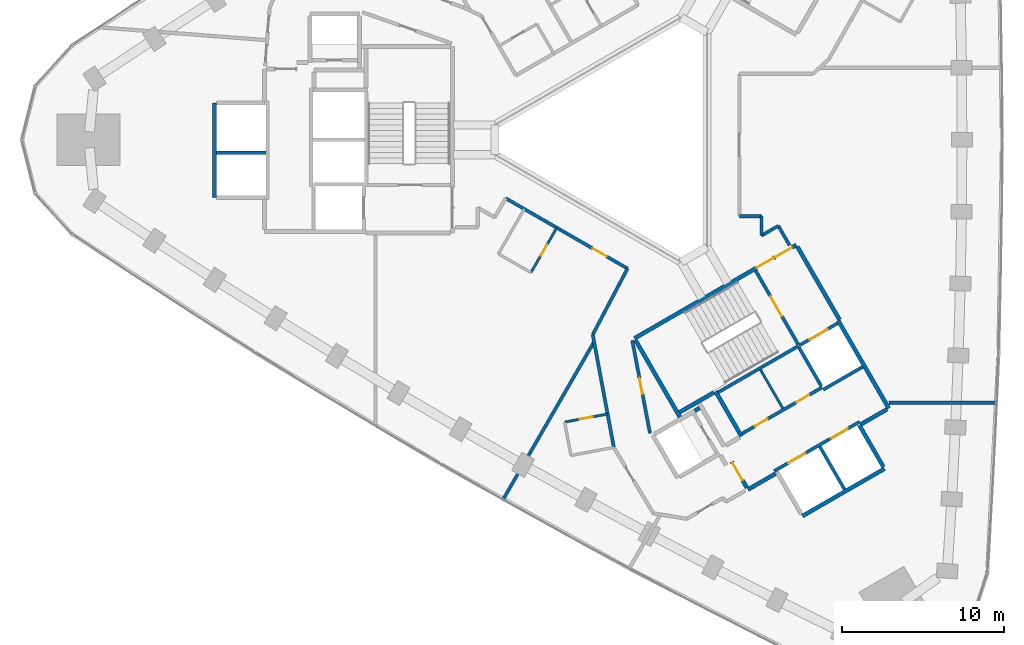
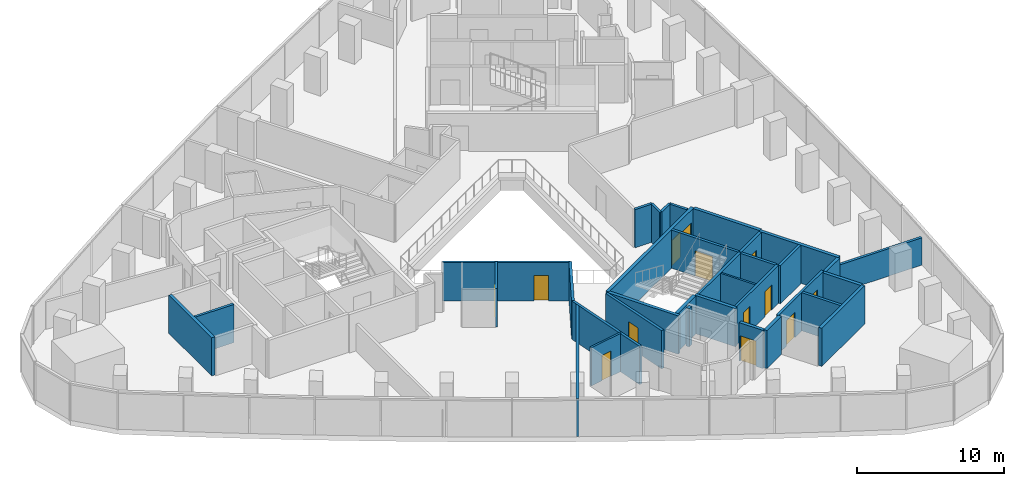
# One storey, part 8 of 12: 35 walls, 13 doors, 13 openings.
"""IFC4 building model written with IfcOpenShell, lengths in metres."""

from ifc_helpers import new_model, si_unit, direction, frame, frame_2d, origin, place, context, subcontext, project, spatial, rectangle, extrude, material, layer, layer_set, type_object, element, fill, save


model = new_model("IFC4")

# Units and contexts
model_context = context("Model", 3, precision=1e-05, world=origin(), true_north=direction((0.0, 1.0)))
body_context = subcontext(model_context, "Body", "Model", "MODEL_VIEW")
ifc_project = project(units=[si_unit("LENGTHUNIT", "METRE"), si_unit("AREAUNIT", "SQUARE_METRE"), si_unit("VOLUMEUNIT", "CUBIC_METRE"), si_unit("PLANEANGLEUNIT", "RADIAN"), si_unit("MASSUNIT", "GRAM", prefix="KILO")], contexts=[model_context])

# Site, building, storey
site_placement = place(None, origin())
site = spatial("IfcSite", under=ifc_project, at=site_placement, CompositionType="ELEMENT")
building_placement = place(site_placement, origin())
building = spatial("IfcBuilding", under=site, at=building_placement, Name="Tamra Quay Hotel Tower", CompositionType="ELEMENT")
storey_placement = place(building_placement, frame((0.0, 0.0, 104.60009765625)))
storey = spatial("IfcBuildingStorey", under=building, at=storey_placement, Name="L25", CompositionType="ELEMENT", Elevation=104.60009765625)

# Wall
ifc_material_1 = material(Name="Concrete M70", Category="concrete")
ifc_layer_1 = layer(ifc_material_1, 0.199951171875)
ifc_layer_set_1 = layer_set([ifc_layer_1], Name="Concrete M70 core wall 200")
wall_type_1 = type_object("IfcWallType", Name="Concrete M70 core wall 200", PredefinedType="SHEAR", material=ifc_layer_set_1)
wall_1_placement = place(storey_placement, frame((-22.36328125, -0.800048828125, 0.0), z_axis=(0.0, 0.0, 1.0), x_axis=(-1.0, 0.0, 0.0)))
element("IfcWall", 1, at=wall_1_placement, inside=storey, type_object=wall_type_1, Name="CW2", PredefinedType="SHEAR", context=body_context, shape_type="SweptSolid", body=[
    extrude(rectangle(XDim=3.048095703125, YDim=0.199951171875, at=frame_2d((1.52392578125, 0.0))), origin(), (0.0, 0.0, 1.0), 3.1748046875),
])

# Wall, openings, doors
wall_2_placement = place(storey_placement, frame((9.052490234375, -20.479736328125, 0.0), z_axis=(0.0, 0.0, 1.0), x_axis=(0.866030299012, 0.499991521122, 0.0)))
wall_2 = element("IfcWall", 2, at=wall_2_placement, inside=storey, type_object=wall_type_1, Name="CW2", PredefinedType="SHEAR", context=body_context, shape_type="SweptSolid", body=[
    extrude(rectangle(XDim=6.10009765625, YDim=0.199951171875, at=frame_2d((3.050048828125, 0.0))), origin(), (0.0, 0.0, 1.0), 3.1748046875),
])
opening_1_placement = place(wall_2_placement, frame((1.0, 0.0, 0.0)))
opening_1 = element("IfcOpeningElement", 3, at=opening_1_placement, cuts=wall_2, Name="Opening LD", PredefinedType="OPENING", context=body_context, shape_type="SweptSolid", body=[
    extrude(rectangle(XDim=1.199951171875, YDim=2.10009765625, at=frame_2d((0.60009765625, 1.050048828125))), frame((0.0, 0.10986328125, 0.0), z_axis=(0.0, -1.0, 0.0), x_axis=(1.0, 0.0, 0.0)), (0.0, 0.0, 1.0), 0.219970703125),
])
opening_2_placement = place(wall_2_placement, frame((4.05029296875, 0.0, 0.0)))
opening_2 = element("IfcOpeningElement", 4, at=opening_2_placement, cuts=wall_2, Name="Opening LD", PredefinedType="OPENING", context=body_context, shape_type="SweptSolid", body=[
    extrude(rectangle(XDim=1.199951171875, YDim=2.10009765625, at=frame_2d((0.60009765625, 1.050048828125))), frame((0.0, 0.10986328125, 0.0), z_axis=(0.0, -1.0, 0.0), x_axis=(1.0, 0.0, 0.0)), (0.0, 0.0, 1.0), 0.219970703125),
])
ifc_material_2 = material(Name="Landing door LD 1200 double door sliding")
door_type_1 = type_object("IfcDoorType", Name="Landing door LD 1200 double door sliding", OperationType="DOUBLE_DOOR_SLIDING", PredefinedType="DOOR", material=ifc_material_2)
door_1_placement = place(opening_1_placement, origin())
door_1 = element("IfcDoor", 5, at=door_1_placement, inside=storey, type_object=door_type_1, Name="LD", OperationType="DOUBLE_DOOR_SLIDING", OverallHeight=2.10009765625, OverallWidth=1.199951171875, PredefinedType="DOOR", context=body_context, shape_type="SweptSolid", body=[
    extrude(rectangle(XDim=1.199951171875, YDim=2.10009765625, at=frame_2d((0.60009765625, 1.050048828125))), frame((0.0, 0.02490234375, 0.0), z_axis=(0.0, -1.0, 0.0), x_axis=(1.0, 0.0, 0.0)), (0.0, 0.0, 1.0), 0.050048828125),
])
fill(opening_1, door_1)
door_2_placement = place(opening_2_placement, origin())
door_2 = element("IfcDoor", 6, at=door_2_placement, inside=storey, type_object=door_type_1, Name="LD", OperationType="DOUBLE_DOOR_SLIDING", OverallHeight=2.10009765625, OverallWidth=1.199951171875, PredefinedType="DOOR", context=body_context, shape_type="SweptSolid", body=[
    extrude(rectangle(XDim=1.199951171875, YDim=2.10009765625, at=frame_2d((0.60009765625, 1.050048828125))), frame((0.0, 0.02490234375, 0.0), z_axis=(0.0, -1.0, 0.0), x_axis=(1.0, 0.0, 0.0)), (0.0, 0.0, 1.0), 0.050048828125),
])
fill(opening_2, door_2)

# Wall
wall_3_placement = place(storey_placement, frame((10.537841796875, -12.751953125, 0.0), z_axis=(0.0, 0.0, 1.0), x_axis=(-0.866038630372, -0.499977090179, 0.0)))
element("IfcWall", 7, at=wall_3_placement, inside=storey, type_object=wall_type_1, Name="CW2", PredefinedType="SHEAR", context=body_context, shape_type="SweptSolid", body=[
    extrude(rectangle(XDim=5.698974609375, YDim=0.199951171875, at=frame_2d((2.849609375, 0.0))), origin(), (0.0, 0.0, 1.0), 3.1748046875),
])

# Wall, openings, doors
wall_4_placement = place(storey_placement, frame((7.0771484375, -18.156005859375, 0.0), z_axis=(0.0, 0.0, 1.0), x_axis=(0.866038630372, 0.499977090179, 0.0)))
wall_4 = element("IfcWall", 8, at=wall_4_placement, inside=storey, type_object=wall_type_1, Name="CW2", PredefinedType="SHEAR", context=body_context, shape_type="SweptSolid", body=[
    extrude(rectangle(XDim=5.698974609375, YDim=0.199951171875, at=frame_2d((2.849609375, 0.0))), origin(), (0.0, 0.0, 1.0), 3.1748046875),
])
opening_3_placement = place(wall_4_placement, frame((0.89892578125, 0.0, 0.0)))
opening_3 = element("IfcOpeningElement", 9, at=opening_3_placement, cuts=wall_4, Name="Opening D2", PredefinedType="OPENING", context=body_context, shape_type="SweptSolid", body=[
    extrude(rectangle(XDim=0.89990234375, YDim=2.10009765625, at=frame_2d((0.449951171875, 1.050048828125))), frame((0.0, 0.10986328125, 0.0), z_axis=(0.0, -1.0, 0.0), x_axis=(1.0, 0.0, 0.0)), (0.0, 0.0, 1.0), 0.219970703125),
])
opening_4_placement = place(wall_4_placement, frame((3.8740234375, 0.0, 0.0)))
opening_4 = element("IfcOpeningElement", 10, at=opening_4_placement, cuts=wall_4, Name="Opening D2", PredefinedType="OPENING", context=body_context, shape_type="SweptSolid", body=[
    extrude(rectangle(XDim=0.89990234375, YDim=2.10009765625, at=frame_2d((0.449951171875, 1.050048828125))), frame((0.0, 0.10986328125, 0.0), z_axis=(0.0, -1.0, 0.0), x_axis=(1.0, 0.0, 0.0)), (0.0, 0.0, 1.0), 0.219970703125),
])
ifc_material_3 = material(Name="Core door D2 900x2100 LH")
door_type_2 = type_object("IfcDoorType", Name="Core door D2 900x2100 LH", OperationType="NOTDEFINED", PredefinedType="DOOR", material=ifc_material_3)
door_3_placement = place(opening_4_placement, origin())
door_3 = element("IfcDoor", 11, at=door_3_placement, inside=storey, type_object=door_type_2, Name="D2", OperationType="SINGLE_SWING_LEFT", OverallHeight=2.10009765625, OverallWidth=0.89990234375, PredefinedType="DOOR", context=body_context, shape_type="SweptSolid", body=[
    extrude(rectangle(XDim=0.89990234375, YDim=2.10009765625, at=frame_2d((0.449951171875, 1.050048828125))), frame((0.0, 0.02490234375, 0.0), z_axis=(0.0, -1.0, 0.0), x_axis=(1.0, 0.0, 0.0)), (0.0, 0.0, 1.0), 0.050048828125),
])
fill(opening_4, door_3)
ifc_material_4 = material(Name="Core door D2 900x2100 RH")
door_type_3 = type_object("IfcDoorType", Name="Core door D2 900x2100 RH", OperationType="NOTDEFINED", PredefinedType="DOOR", material=ifc_material_4)
door_4_placement = place(opening_3_placement, origin())
door_4 = element("IfcDoor", 12, at=door_4_placement, inside=storey, type_object=door_type_3, Name="D2", OperationType="SINGLE_SWING_RIGHT", OverallHeight=2.10009765625, OverallWidth=0.89990234375, PredefinedType="DOOR", context=body_context, shape_type="SweptSolid", body=[
    extrude(rectangle(XDim=0.89990234375, YDim=2.10009765625, at=frame_2d((0.449951171875, 1.050048828125))), frame((0.0, 0.02490234375, 0.0), z_axis=(0.0, -1.0, 0.0), x_axis=(1.0, 0.0, 0.0)), (0.0, 0.0, 1.0), 0.050048828125),
])
fill(opening_3, door_4)

# Wall, opening, door
wall_5_placement = place(storey_placement, frame((7.906494140625, -8.094482421875, 0.0), z_axis=(0.0, 0.0, 1.0), x_axis=(0.500024287448, -0.866011380966, 0.0)))
wall_5 = element("IfcWall", 13, at=wall_5_placement, inside=storey, type_object=wall_type_1, Name="CW2", PredefinedType="SHEAR", context=body_context, shape_type="SweptSolid", body=[
    extrude(rectangle(XDim=5.251220703125, YDim=0.199951171875, at=frame_2d((2.62548828125, 0.0))), origin(), (0.0, 0.0, 1.0), 3.1748046875),
])
opening_5_placement = place(wall_5_placement, frame((1.84912109375, 0.0, 0.0)))
opening_5 = element("IfcOpeningElement", 14, at=opening_5_placement, cuts=wall_5, Name="Opening FD2", PredefinedType="OPENING", context=body_context, shape_type="SweptSolid", body=[
    extrude(rectangle(XDim=1.39990234375, YDim=2.10009765625, at=frame_2d((0.699951171875, 1.050048828125))), frame((0.0, 0.10986328125, 0.0), z_axis=(0.0, -1.0, 0.0), x_axis=(1.0, 0.0, 0.0)), (0.0, 0.0, 1.0), 0.219970703125),
])
ifc_material_5 = material(Name="Core door FD2 1400x2100 LH")
door_type_4 = type_object("IfcDoorType", Name="Core door FD2 1400x2100 LH", OperationType="NOTDEFINED", PredefinedType="DOOR", material=ifc_material_5)
door_5_placement = place(opening_5_placement, origin())
door_5 = element("IfcDoor", 15, at=door_5_placement, inside=storey, type_object=door_type_4, Name="FD2", OperationType="SINGLE_SWING_LEFT", OverallHeight=2.10009765625, OverallWidth=1.39990234375, PredefinedType="DOOR", context=body_context, shape_type="SweptSolid", body=[
    extrude(rectangle(XDim=1.39990234375, YDim=2.10009765625, at=frame_2d((0.699951171875, 1.050048828125))), frame((0.0, 0.02490234375, 0.0), z_axis=(0.0, -1.0, 0.0), x_axis=(1.0, 0.0, 0.0)), (0.0, 0.0, 1.0), 0.050048828125),
])
fill(opening_5, door_5)

# Walls
wall_6_placement = place(storey_placement, frame((11.87451171875, -18.967041015625, 0.0), z_axis=(0.0, 0.0, 1.0), x_axis=(0.49998131003, -0.866036194175, 0.0)))
element("IfcWall", 16, at=wall_6_placement, inside=storey, type_object=wall_type_1, Name="CW2", PredefinedType="SHEAR", context=body_context, shape_type="SweptSolid", body=[
    extrude(rectangle(XDim=3.0478515625, YDim=0.199951171875, at=frame_2d((1.52392578125, 0.0))), origin(), (0.0, 0.0, 1.0), 3.1748046875),
])
wall_7_placement = place(storey_placement, frame((11.962646484375, -15.219970703125, 0.0), z_axis=(0.0, 0.0, 1.0), x_axis=(-0.500034990121, 0.866005201286, 0.0)))
element("IfcWall", 17, at=wall_7_placement, inside=storey, type_object=wall_type_1, Name="CW2", PredefinedType="SHEAR", context=body_context, shape_type="SweptSolid", body=[
    extrude(rectangle(XDim=2.749755859375, YDim=0.199951171875, at=frame_2d((1.375, 0.0))), origin(), (0.0, 0.0, 1.0), 3.1748046875),
])

# Wall, opening, door
wall_8_placement = place(storey_placement, frame((10.587158203125, -12.72314453125, 0.0), z_axis=(0.0, 0.0, 1.0), x_axis=(0.866037306777, 0.499979382845, 0.0)))
wall_8 = element("IfcWall", 18, at=wall_8_placement, inside=storey, type_object=wall_type_1, Name="CW2", PredefinedType="SHEAR", context=body_context, shape_type="SweptSolid", body=[
    extrude(rectangle(XDim=2.74169921875, YDim=0.199951171875, at=frame_2d((1.370849609375, 0.0))), origin(), (0.0, 0.0, 1.0), 3.1748046875),
])
opening_6_placement = place(wall_8_placement, frame((0.742919921875, 0.0, 0.0)))
opening_6 = element("IfcOpeningElement", 19, at=opening_6_placement, cuts=wall_8, Name="Opening LD", PredefinedType="OPENING", context=body_context, shape_type="SweptSolid", body=[
    extrude(rectangle(XDim=1.300048828125, YDim=2.10009765625, at=frame_2d((0.64990234375, 1.050048828125))), frame((0.0, 0.10986328125, 0.0), z_axis=(0.0, -1.0, 0.0), x_axis=(1.0, 0.0, 0.0)), (0.0, 0.0, 1.0), 0.219970703125),
])
ifc_material_6 = material(Name="Landing door LD 1300 sliding to left")
door_type_5 = type_object("IfcDoorType", Name="Landing door LD 1300 sliding to left", OperationType="NOTDEFINED", PredefinedType="DOOR", material=ifc_material_6)
door_6_placement = place(opening_6_placement, origin())
door_6 = element("IfcDoor", 20, at=door_6_placement, inside=storey, type_object=door_type_5, Name="LD", OperationType="SLIDING_TO_LEFT", OverallHeight=2.10009765625, OverallWidth=1.300048828125, PredefinedType="DOOR", context=body_context, shape_type="SweptSolid", body=[
    extrude(rectangle(XDim=1.300048828125, YDim=2.10009765625, at=frame_2d((0.64990234375, 1.050048828125))), frame((0.0, 0.02490234375, 0.0), z_axis=(0.0, -1.0, 0.0), x_axis=(1.0, 0.0, 0.0)), (0.0, 0.0, 1.0), 0.050048828125),
])
fill(opening_6, door_6)

# Walls
wall_9_placement = place(storey_placement, frame((14.51171875, -14.037109375, 0.0), z_axis=(0.0, 0.0, 1.0), x_axis=(-0.866044696403, -0.499966582715, 0.0)))
element("IfcWall", 21, at=wall_9_placement, inside=storey, type_object=wall_type_1, Name="CW2", PredefinedType="SHEAR", context=body_context, shape_type="SweptSolid", body=[
    extrude(rectangle(XDim=2.799072265625, YDim=0.199951171875, at=frame_2d((1.3994140625, 0.0))), origin(), (0.0, 0.0, 1.0), 3.1748046875),
])
ifc_layer_2 = layer(ifc_material_1, 0.25)
ifc_layer_set_2 = layer_set([ifc_layer_2], Name="Concrete M70 core wall 250")
wall_type_2 = type_object("IfcWallType", Name="Concrete M70 core wall 250", PredefinedType="SHEAR", material=ifc_layer_set_2)
wall_10_placement = place(storey_placement, frame((-25.537353515625, -3.574951171875, 0.0), z_axis=(0.0, 0.0, 1.0), x_axis=(0.0, 1.0, 0.0)))
element("IfcWall", 22, at=wall_10_placement, inside=storey, type_object=wall_type_2, Name="CW1", PredefinedType="SHEAR", context=body_context, shape_type="SweptSolid", body=[
    extrude(rectangle(XDim=5.849853515625, YDim=0.25, at=frame_2d((2.9248046875, 0.0))), origin(), (0.0, 0.0, 1.0), 3.1748046875),
])

# Wall, openings, doors
wall_11_placement = place(storey_placement, frame((0.417236328125, -12.27294921875, 0.0), z_axis=(0.0, 0.0, 1.0), x_axis=(0.866021906294, 0.500006057782, 0.0)))
wall_11 = element("IfcWall", 23, at=wall_11_placement, inside=storey, type_object=wall_type_2, Name="CW1", PredefinedType="SHEAR", context=body_context, shape_type="SweptSolid", body=[
    extrude(rectangle(XDim=11.550048828125, YDim=0.25, at=frame_2d((5.77490234375, 0.0))), origin(), (0.0, 0.0, 1.0), 3.1748046875),
])
opening_7_placement = place(wall_11_placement, frame((10.024658203125, 0.0, 0.0)))
opening_7 = element("IfcOpeningElement", 24, at=opening_7_placement, cuts=wall_11, Name="Opening FD1", PredefinedType="OPENING", context=body_context, shape_type="SweptSolid", body=[
    extrude(rectangle(XDim=1.199951171875, YDim=2.10009765625, at=frame_2d((0.60009765625, 1.050048828125))), frame((0.0, 0.135009765625, 0.0), z_axis=(0.0, -1.0, 0.0), x_axis=(1.0, 0.0, 0.0)), (0.0, 0.0, 1.0), 0.27001953125),
])
opening_8_placement = place(wall_11_placement, frame((8.724609375, 0.0, 0.0)))
opening_8 = element("IfcOpeningElement", 25, at=opening_8_placement, cuts=wall_11, Name="Opening FD1", PredefinedType="OPENING", context=body_context, shape_type="SweptSolid", body=[
    extrude(rectangle(XDim=1.199951171875, YDim=2.10009765625, at=frame_2d((0.60009765625, 1.050048828125))), frame((0.0, 0.135009765625, 0.0), z_axis=(0.0, -1.0, 0.0), x_axis=(1.0, 0.0, 0.0)), (0.0, 0.0, 1.0), 0.27001953125),
])
ifc_material_7 = material(Name="Core door FD1 1200x2100 LH")
door_type_6 = type_object("IfcDoorType", Name="Core door FD1 1200x2100 LH", OperationType="NOTDEFINED", PredefinedType="DOOR", material=ifc_material_7)
door_7_placement = place(opening_7_placement, origin())
door_7 = element("IfcDoor", 26, at=door_7_placement, inside=storey, type_object=door_type_6, Name="FD1", OperationType="SINGLE_SWING_LEFT", OverallHeight=2.10009765625, OverallWidth=1.199951171875, PredefinedType="DOOR", context=body_context, shape_type="SweptSolid", body=[
    extrude(rectangle(XDim=1.199951171875, YDim=2.10009765625, at=frame_2d((0.60009765625, 1.050048828125))), frame((0.0, 0.02490234375, 0.0), z_axis=(0.0, -1.0, 0.0), x_axis=(1.0, 0.0, 0.0)), (0.0, 0.0, 1.0), 0.050048828125),
])
fill(opening_7, door_7)
ifc_material_8 = material(Name="Core door FD1 1200x2100 RH")
door_type_7 = type_object("IfcDoorType", Name="Core door FD1 1200x2100 RH", OperationType="NOTDEFINED", PredefinedType="DOOR", material=ifc_material_8)
door_8_placement = place(opening_8_placement, origin())
door_8 = element("IfcDoor", 27, at=door_8_placement, inside=storey, type_object=door_type_7, Name="FD1", OperationType="SINGLE_SWING_RIGHT", OverallHeight=2.10009765625, OverallWidth=1.199951171875, PredefinedType="DOOR", context=body_context, shape_type="SweptSolid", body=[
    extrude(rectangle(XDim=1.199951171875, YDim=2.10009765625, at=frame_2d((0.60009765625, 1.050048828125))), frame((0.0, 0.02490234375, 0.0), z_axis=(0.0, -1.0, 0.0), x_axis=(1.0, 0.0, 0.0)), (0.0, 0.0, 1.0), 0.050048828125),
])
fill(opening_8, door_8)

# Walls
wall_12_placement = place(storey_placement, frame((13.00830078125, -11.18115234375, 0.0), z_axis=(0.0, 0.0, 1.0), x_axis=(0.500004234368, -0.866022959057, 0.0)))
element("IfcWall", 28, at=wall_12_placement, inside=storey, type_object=wall_type_2, Name="CW1", PredefinedType="SHEAR", context=body_context, shape_type="SweptSolid", body=[
    extrude(rectangle(XDim=6.25, YDim=0.25, at=frame_2d((3.125, 0.0))), origin(), (0.0, 0.0, 1.0), 3.1748046875),
])
wall_13_placement = place(storey_placement, frame((15.86474609375, -20.328369140625, 0.0), z_axis=(0.0, 0.0, 1.0), x_axis=(-0.86602852612, -0.499994591916, 0.0)))
element("IfcWall", 29, at=wall_13_placement, inside=storey, type_object=wall_type_2, Name="CW1", PredefinedType="SHEAR", context=body_context, shape_type="SweptSolid", body=[
    extrude(rectangle(XDim=5.85009765625, YDim=0.25, at=frame_2d((2.925048828125, 0.0))), origin(), (0.0, 0.0, 1.0), 3.1748046875),
])
wall_14_placement = place(storey_placement, frame((3.23486328125, -17.15283203125, 0.0), z_axis=(0.0, 0.0, 1.0), x_axis=(-0.500008851346, 0.866020293397, 0.0)))
element("IfcWall", 30, at=wall_14_placement, inside=storey, type_object=wall_type_2, Name="CW1", PredefinedType="SHEAR", context=body_context, shape_type="SweptSolid", body=[
    extrude(rectangle(XDim=5.509765625, YDim=0.25, at=frame_2d((2.7548828125, 0.0))), origin(), (0.0, 0.0, 1.0), 3.1748046875),
])
wall_15_placement = place(storey_placement, frame((10.482666015625, -6.6064453125, 0.0), z_axis=(0.0, 0.0, 1.0), x_axis=(0.49999885962, -0.866026062182, 0.0)))
element("IfcWall", 31, at=wall_15_placement, inside=storey, type_object=wall_type_2, Name="CW1", PredefinedType="SHEAR", context=body_context, shape_type="SweptSolid", body=[
    extrude(rectangle(XDim=5.224609375, YDim=0.25, at=frame_2d((2.6123046875, 0.0))), origin(), (0.0, 0.0, 1.0), 3.1748046875),
])
wall_16_placement = place(storey_placement, frame((7.030517578125, -18.327392578125, 0.0), z_axis=(0.0, 0.0, 1.0), x_axis=(-0.499971222258, 0.866042017984, 0.0)))
element("IfcWall", 32, at=wall_16_placement, inside=storey, type_object=wall_type_2, Name="CW1", PredefinedType="SHEAR", context=body_context, shape_type="SweptSolid", body=[
    extrude(rectangle(XDim=3.199951171875, YDim=0.25, at=frame_2d((1.60009765625, 0.0))), origin(), (0.0, 0.0, 1.0), 3.1748046875),
])
wall_17_placement = place(storey_placement, frame((14.314697265625, -17.643798828125, 0.0), z_axis=(0.0, 0.0, 1.0), x_axis=(0.500023226632, -0.866011993467, 0.0)))
element("IfcWall", 33, at=wall_17_placement, inside=storey, type_object=wall_type_2, Name="CW1", PredefinedType="SHEAR", context=body_context, shape_type="SweptSolid", body=[
    extrude(rectangle(XDim=2.974365234375, YDim=0.25, at=frame_2d((1.4873046875, 0.0))), origin(), (0.0, 0.0, 1.0), 3.1748046875),
])
wall_18_placement = place(storey_placement, frame((5.322021484375, -15.618896484375, 0.0), z_axis=(0.0, 0.0, 1.0), x_axis=(-0.866026229868, -0.499998569178, 0.0)))
element("IfcWall", 34, at=wall_18_placement, inside=storey, type_object=wall_type_2, Name="CW1", PredefinedType="SHEAR", context=body_context, shape_type="SweptSolid", body=[
    extrude(rectangle(XDim=2.44921875, YDim=0.25, at=frame_2d((1.224609375, 0.0))), origin(), (0.0, 0.0, 1.0), 3.1748046875),
])
wall_19_placement = place(storey_placement, frame((9.139892578125, -20.63134765625, 0.0), z_axis=(0.0, 0.0, 1.0), x_axis=(-0.866043531843, -0.499968599967, 0.0)))
element("IfcWall", 35, at=wall_19_placement, inside=storey, type_object=wall_type_2, Name="CW1", PredefinedType="SHEAR", context=body_context, shape_type="SweptSolid", body=[
    extrude(rectangle(XDim=1.974853515625, YDim=0.25, at=frame_2d((0.9873046875, 0.0))), origin(), (0.0, 0.0, 1.0), 3.1748046875),
])
wall_20_placement = place(storey_placement, frame((16.024658203125, -16.656494140625, 0.0), z_axis=(0.0, 0.0, 1.0), x_axis=(-0.866016279763, -0.500015802937, 0.0)))
element("IfcWall", 36, at=wall_20_placement, inside=storey, type_object=wall_type_2, Name="CW1", PredefinedType="SHEAR", context=body_context, shape_type="SweptSolid", body=[
    extrude(rectangle(XDim=1.84912109375, YDim=0.25, at=frame_2d((0.924560546875, 0.0))), origin(), (0.0, 0.0, 1.0), 3.1748046875),
])

# Wall, opening, door
wall_21_placement = place(storey_placement, frame((7.3671875, -21.51025390625, 0.0), z_axis=(0.0, 0.0, 1.0), x_axis=(-0.499983108224, 0.866035156036, 0.0)))
wall_21 = element("IfcWall", 37, at=wall_21_placement, inside=storey, type_object=wall_type_2, Name="CW1", PredefinedType="SHEAR", context=body_context, shape_type="SweptSolid", body=[
    extrude(rectangle(XDim=1.86474609375, YDim=0.25, at=frame_2d((0.932373046875, 0.0))), origin(), (0.0, 0.0, 1.0), 3.1748046875),
])
opening_9_placement = place(wall_21_placement, frame((0.53466796875, 0.0, 0.0)))
opening_9 = element("IfcOpeningElement", 38, at=opening_9_placement, cuts=wall_21, Name="Opening FD3", PredefinedType="OPENING", context=body_context, shape_type="SweptSolid", body=[
    extrude(rectangle(XDim=1.25, YDim=2.10009765625, at=frame_2d((0.625, 1.050048828125))), frame((0.0, 0.135009765625, 0.0), z_axis=(0.0, -1.0, 0.0), x_axis=(1.0, 0.0, 0.0)), (0.0, 0.0, 1.0), 0.27001953125),
])
ifc_material_9 = material(Name="Core door FD3 1250x2100 LH")
door_type_8 = type_object("IfcDoorType", Name="Core door FD3 1250x2100 LH", OperationType="NOTDEFINED", PredefinedType="DOOR", material=ifc_material_9)
door_9_placement = place(opening_9_placement, origin())
door_9 = element("IfcDoor", 39, at=door_9_placement, inside=storey, type_object=door_type_8, Name="FD3", OperationType="SINGLE_SWING_LEFT", OverallHeight=2.10009765625, OverallWidth=1.25, PredefinedType="DOOR", context=body_context, shape_type="SweptSolid", body=[
    extrude(rectangle(XDim=1.25, YDim=2.10009765625, at=frame_2d((0.625, 1.050048828125))), frame((0.0, 0.02490234375, 0.0), z_axis=(0.0, -1.0, 0.0), x_axis=(1.0, 0.0, 0.0)), (0.0, 0.0, 1.0), 0.050048828125),
])
fill(opening_9, door_9)

# Walls
wall_22_placement = place(storey_placement, frame((4.144775390625, -16.748779296875, 0.0), z_axis=(0.0, 0.0, 1.0), x_axis=(0.866185586049, 0.49972245349, 0.0)))
element("IfcWall", 40, at=wall_22_placement, inside=storey, type_object=wall_type_2, Name="CW1", PredefinedType="SHEAR", context=body_context, shape_type="SweptSolid", body=[
    extrude(rectangle(XDim=0.344482421875, YDim=0.25, at=frame_2d((0.17236328125, 0.0))), origin(), (0.0, 0.0, 1.0), 3.1748046875),
])
ifc_material_10 = material(Name="Blockwork", Category="masonry")
ifc_layer_3 = layer(ifc_material_10, 0.14990234375)
ifc_layer_set_3 = layer_set([ifc_layer_3], Name="Core partition block 150")
wall_type_3 = type_object("IfcWallType", Name="Core partition block 150", PredefinedType="PARTITIONING", material=ifc_layer_set_3)
wall_23_placement = place(storey_placement, frame((8.20654296875, -14.214111328125, 0.0), z_axis=(0.0, 0.0, 1.0), x_axis=(0.50002746344, -0.86600954718, 0.0)))
element("IfcWall", 41, at=wall_23_placement, inside=storey, type_object=wall_type_3, Name="CP1", PredefinedType="PARTITIONING", context=body_context, shape_type="SweptSolid", body=[
    extrude(rectangle(XDim=2.748291015625, YDim=0.14990234375, at=frame_2d((1.3740234375, 0.0))), origin(), (0.0, 0.0, 1.0), 3.1748046875),
])

# Wall, opening, door
ifc_material_11 = material(Name="Partition corridor wall")
ifc_layer_4 = layer(ifc_material_11, 0.199951171875)
ifc_layer_set_4 = layer_set([ifc_layer_4], Name="Partition corridor wall")
wall_type_4 = type_object("IfcWallType", Name="Partition corridor wall", PredefinedType="PARTITIONING", material=ifc_layer_set_4)
wall_24_placement = place(storey_placement, frame((-7.539306640625, -3.61572265625, 0.0), z_axis=(0.0, 0.0, 1.0), x_axis=(0.866101372471, -0.499868395285, 0.0)))
wall_24 = element("IfcWall", 42, at=wall_24_placement, inside=storey, type_object=wall_type_4, Name="W-C", PredefinedType="PARTITIONING", context=body_context, shape_type="SweptSolid", body=[
    extrude(rectangle(XDim=8.688720703125, YDim=0.199951171875, at=frame_2d((4.34423828125, 0.0))), origin(), (0.0, 0.0, 1.0), 3.1748046875),
])
opening_10_placement = place(wall_24_placement, frame((6.203125, 0.0, 0.0)))
opening_10 = element("IfcOpeningElement", 43, at=opening_10_placement, cuts=wall_24, Name="Opening L25-D013", PredefinedType="OPENING", context=body_context, shape_type="SweptSolid", body=[
    extrude(rectangle(XDim=1.0, YDim=2.10009765625, at=frame_2d((0.5, 1.050048828125))), frame((0.0, 0.10986328125, 0.0), z_axis=(0.0, -1.0, 0.0), x_axis=(1.0, 0.0, 0.0)), (0.0, 0.0, 1.0), 0.219970703125),
])
ifc_material_12 = material(Name="Door guest room 1000x2100")
door_type_9 = type_object("IfcDoorType", Name="Door guest room 1000x2100", OperationType="NOTDEFINED", PredefinedType="DOOR", material=ifc_material_12)
door_10_placement = place(opening_10_placement, frame((1.0, 0.0, 0.0), z_axis=(0.0, 0.0, 1.0), x_axis=(-1.0, 0.0, 0.0)))
door_10 = element("IfcDoor", 44, at=door_10_placement, inside=storey, type_object=door_type_9, Name="L25-D013", OperationType="SINGLE_SWING_LEFT", OverallHeight=2.10009765625, OverallWidth=1.0, PredefinedType="DOOR", context=body_context, shape_type="SweptSolid", body=[
    extrude(rectangle(XDim=1.0, YDim=2.10009765625, at=frame_2d((0.5, 1.050048828125))), frame((0.0, 0.02490234375, 0.0), z_axis=(0.0, -1.0, 0.0), x_axis=(1.0, 0.0, 0.0)), (0.0, 0.0, 1.0), 0.050048828125),
])
fill(opening_10, door_10)

# Walls
wall_25_placement = place(storey_placement, frame((-2.162109375, -12.0419921875, 0.0), z_axis=(0.0, 0.0, 1.0), x_axis=(0.183916574427, -0.982941856699, 0.0)))
element("IfcWall", 45, at=wall_25_placement, inside=storey, type_object=wall_type_4, Name="W-C", PredefinedType="PARTITIONING", context=body_context, shape_type="SweptSolid", body=[
    extrude(rectangle(XDim=7.093994140625, YDim=0.199951171875, at=frame_2d((3.546875, 0.0))), origin(), (0.0, 0.0, 1.0), 3.1748046875),
])
wall_26_placement = place(storey_placement, frame((-2.162109375, -12.041015625, 0.0), z_axis=(0.0, 0.0, 1.0), x_axis=(0.465704986205, 0.884940035157, 0.0)))
element("IfcWall", 46, at=wall_26_placement, inside=storey, type_object=wall_type_4, Name="W-C", PredefinedType="PARTITIONING", context=body_context, shape_type="SweptSolid", body=[
    extrude(rectangle(XDim=4.61279296875, YDim=0.199951171875, at=frame_2d((2.306396484375, 0.0))), origin(), (0.0, 0.0, 1.0), 3.1748046875),
])

# Wall, opening, door
wall_27_placement = place(storey_placement, frame((0.28076171875, -12.40625, 0.0), z_axis=(0.0, 0.0, 1.0), x_axis=(0.187814940093, -0.982204433037, 0.0)))
wall_27 = element("IfcWall", 47, at=wall_27_placement, inside=storey, type_object=wall_type_4, Name="W-C", PredefinedType="PARTITIONING", context=body_context, shape_type="SweptSolid", body=[
    extrude(rectangle(XDim=5.841796875, YDim=0.199951171875, at=frame_2d((2.9208984375, 0.0))), origin(), (0.0, 0.0, 1.0), 3.1748046875),
])
opening_11_placement = place(wall_27_placement, frame((2.36328125, 0.0, 0.0)))
opening_11 = element("IfcOpeningElement", 48, at=opening_11_placement, cuts=wall_27, Name="Opening L25-D015", PredefinedType="OPENING", context=body_context, shape_type="SweptSolid", body=[
    extrude(rectangle(XDim=1.0, YDim=2.10009765625, at=frame_2d((0.5, 1.050048828125))), frame((0.0, 0.10986328125, 0.0), z_axis=(0.0, -1.0, 0.0), x_axis=(1.0, 0.0, 0.0)), (0.0, 0.0, 1.0), 0.219970703125),
])
door_11_placement = place(opening_11_placement, origin())
door_11 = element("IfcDoor", 49, at=door_11_placement, inside=storey, type_object=door_type_9, Name="L25-D015", OperationType="SINGLE_SWING_LEFT", OverallHeight=2.10009765625, OverallWidth=1.0, PredefinedType="DOOR", context=body_context, shape_type="SweptSolid", body=[
    extrude(rectangle(XDim=1.0, YDim=2.10009765625, at=frame_2d((0.5, 1.050048828125))), frame((0.0, 0.02490234375, 0.0), z_axis=(0.0, -1.0, 0.0), x_axis=(1.0, 0.0, 0.0)), (0.0, 0.0, 1.0), 0.050048828125),
])
fill(opening_11, door_11)

# Walls
wall_28_placement = place(storey_placement, frame((6.89990234375, -4.720947265625, 0.0), z_axis=(0.0, 0.0, 1.0), x_axis=(1.0, 0.0, 0.0)))
element("IfcWall", 50, at=wall_28_placement, inside=storey, type_object=wall_type_4, Name="W-C", PredefinedType="PARTITIONING", context=body_context, shape_type="SweptSolid", body=[
    extrude(rectangle(XDim=1.3681640625, YDim=0.199951171875, at=frame_2d((0.68408203125, 0.0))), origin(), (0.0, 0.0, 1.0), 3.1748046875),
])
wall_29_placement = place(storey_placement, frame((8.26806640625, -5.9208984375, 0.0), z_axis=(0.0, 0.0, 1.0), x_axis=(0.0, 1.0, 0.0)))
element("IfcWall", 51, at=wall_29_placement, inside=storey, type_object=wall_type_4, Name="W-C", PredefinedType="PARTITIONING", context=body_context, shape_type="SweptSolid", body=[
    extrude(rectangle(XDim=1.199951171875, YDim=0.199951171875, at=frame_2d((0.60009765625, 0.0))), origin(), (0.0, 0.0, 1.0), 3.1748046875),
])
wall_30_placement = place(storey_placement, frame((8.26806640625, -5.9208984375, 0.0), z_axis=(0.0, 0.0, 1.0), x_axis=(0.866344856625, 0.499446282797, 0.0)))
element("IfcWall", 52, at=wall_30_placement, inside=storey, type_object=wall_type_4, Name="W-C", PredefinedType="PARTITIONING", context=body_context, shape_type="SweptSolid", body=[
    extrude(rectangle(XDim=1.198974609375, YDim=0.199951171875, at=frame_2d((0.599609375, 0.0))), origin(), (0.0, 0.0, 1.0), 3.1748046875),
])
wall_31_placement = place(storey_placement, frame((9.306884765625, -5.322021484375, 0.0), z_axis=(0.0, 0.0, 1.0), x_axis=(0.500295157811, -0.865854927266, 0.0)))
element("IfcWall", 53, at=wall_31_placement, inside=storey, type_object=wall_type_4, Name="W-C", PredefinedType="PARTITIONING", context=body_context, shape_type="SweptSolid", body=[
    extrude(rectangle(XDim=1.389892578125, YDim=0.199951171875, at=frame_2d((0.69482421875, 0.0))), origin(), (0.0, 0.0, 1.0), 3.1748046875),
])

# Wall, opening, door
ifc_material_13 = material(Name="Partition en-suite wall")
ifc_layer_5 = layer(ifc_material_13, 0.14990234375)
ifc_layer_set_5 = layer_set([ifc_layer_5], Name="Partition en-suite wall")
wall_type_5 = type_object("IfcWallType", Name="Partition en-suite wall", PredefinedType="PARTITIONING", material=ifc_layer_set_5)
wall_32_placement = place(storey_placement, frame((-5.97998046875, -8.2041015625, 0.0), z_axis=(0.0, 0.0, 1.0), x_axis=(0.499554641592, 0.866282378941, 0.0)))
wall_32 = element("IfcWall", 54, at=wall_32_placement, inside=storey, type_object=wall_type_5, Name="W-E", PredefinedType="PARTITIONING", context=body_context, shape_type="SweptSolid", body=[
    extrude(rectangle(XDim=3.19091796875, YDim=0.14990234375, at=frame_2d((1.595458984375, 0.0))), origin(), (0.0, 0.0, 1.0), 3.1748046875),
])
opening_12_placement = place(wall_32_placement, frame((1.195068359375, 0.0, 0.0)))
opening_12 = element("IfcOpeningElement", 55, at=opening_12_placement, cuts=wall_32, Name="Opening L25-D014", PredefinedType="OPENING", context=body_context, shape_type="SweptSolid", body=[
    extrude(rectangle(XDim=0.800048828125, YDim=2.10009765625, at=frame_2d((0.39990234375, 1.050048828125))), frame((0.0, 0.0849609375, 0.0), z_axis=(0.0, -1.0, 0.0), x_axis=(1.0, 0.0, 0.0)), (0.0, 0.0, 1.0), 0.169921875),
])
ifc_material_14 = material(Name="Door en-suite 800x2100")
door_type_10 = type_object("IfcDoorType", Name="Door en-suite 800x2100", OperationType="NOTDEFINED", PredefinedType="DOOR", material=ifc_material_14)
door_12_placement = place(opening_12_placement, frame((0.800048828125, 0.0, 0.0), z_axis=(0.0, 0.0, 1.0), x_axis=(-1.0, 0.0, 0.0)))
door_12 = element("IfcDoor", 56, at=door_12_placement, inside=storey, type_object=door_type_10, Name="L25-D014", OperationType="SINGLE_SWING_LEFT", OverallHeight=2.10009765625, OverallWidth=0.800048828125, PredefinedType="DOOR", context=body_context, shape_type="SweptSolid", body=[
    extrude(rectangle(XDim=0.800048828125, YDim=2.10009765625, at=frame_2d((0.39990234375, 1.050048828125))), frame((0.0, 0.02490234375, 0.0), z_axis=(0.0, -1.0, 0.0), x_axis=(1.0, 0.0, 0.0)), (0.0, 0.0, 1.0), 0.050048828125),
])
fill(opening_12, door_12)

wall_33_placement = place(storey_placement, frame((-3.89599609375, -17.447021484375, 0.0), z_axis=(0.0, 0.0, 1.0), x_axis=(0.982935667801, 0.183949647907, 0.0)))
wall_33 = element("IfcWall", 57, at=wall_33_placement, inside=storey, type_object=wall_type_5, Name="W-E", PredefinedType="PARTITIONING", context=body_context, shape_type="SweptSolid", body=[
    extrude(rectangle(XDim=2.697021484375, YDim=0.14990234375, at=frame_2d((1.3486328125, 0.0))), origin(), (0.0, 0.0, 1.0), 3.1748046875),
])
opening_13_placement = place(wall_33_placement, frame((0.947998046875, 0.0, 0.0)))
opening_13 = element("IfcOpeningElement", 58, at=opening_13_placement, cuts=wall_33, Name="Opening L25-D017", PredefinedType="OPENING", context=body_context, shape_type="SweptSolid", body=[
    extrude(rectangle(XDim=0.800048828125, YDim=2.10009765625, at=frame_2d((0.39990234375, 1.050048828125))), frame((0.0, 0.0849609375, 0.0), z_axis=(0.0, -1.0, 0.0), x_axis=(1.0, 0.0, 0.0)), (0.0, 0.0, 1.0), 0.169921875),
])
door_13_placement = place(opening_13_placement, frame((0.800048828125, 0.0, 0.0), z_axis=(0.0, 0.0, 1.0), x_axis=(-1.0, 0.0, 0.0)))
door_13 = element("IfcDoor", 59, at=door_13_placement, inside=storey, type_object=door_type_10, Name="L25-D017", OperationType="SINGLE_SWING_LEFT", OverallHeight=2.10009765625, OverallWidth=0.800048828125, PredefinedType="DOOR", context=body_context, shape_type="SweptSolid", body=[
    extrude(rectangle(XDim=0.800048828125, YDim=2.10009765625, at=frame_2d((0.39990234375, 1.050048828125))), frame((0.0, 0.02490234375, 0.0), z_axis=(0.0, -1.0, 0.0), x_axis=(1.0, 0.0, 0.0)), (0.0, 0.0, 1.0), 0.050048828125),
])
fill(opening_13, door_13)

# Walls
ifc_material_15 = material(Name="Partition party wall")
ifc_layer_6 = layer(ifc_material_15, 0.199951171875)
ifc_layer_set_6 = layer_set([ifc_layer_6], Name="Partition party wall")
wall_type_6 = type_object("IfcWallType", Name="Partition party wall", PredefinedType="PARTITIONING", material=ifc_layer_set_6)
wall_34_placement = place(storey_placement, frame((-7.70703125, -22.240478515625, 0.0), z_axis=(0.0, 0.0, 1.0), x_axis=(0.499942683644, 0.866058492869, 0.0)))
element("IfcWall", 60, at=wall_34_placement, inside=storey, type_object=wall_type_6, Name="W-P", PredefinedType="PARTITIONING", context=body_context, shape_type="SweptSolid", body=[
    extrude(rectangle(XDim=11.259521484375, YDim=0.199951171875, at=frame_2d((5.6298828125, 0.0))), origin(), (0.0, 0.0, 1.0), 3.1748046875),
])
wall_35_placement = place(storey_placement, frame((16.14794921875, -16.2490234375, 0.0), z_axis=(0.0, 0.0, 1.0), x_axis=(1.0, 0.0, 0.0)))
element("IfcWall", 61, at=wall_35_placement, inside=storey, type_object=wall_type_6, Name="W-P", PredefinedType="PARTITIONING", context=body_context, shape_type="SweptSolid", body=[
    extrude(rectangle(XDim=6.648681640625, YDim=0.199951171875, at=frame_2d((3.32421875, 0.0))), origin(), (0.0, 0.0, 1.0), 2.27490234375),
])

save(model, "model.ifc")
